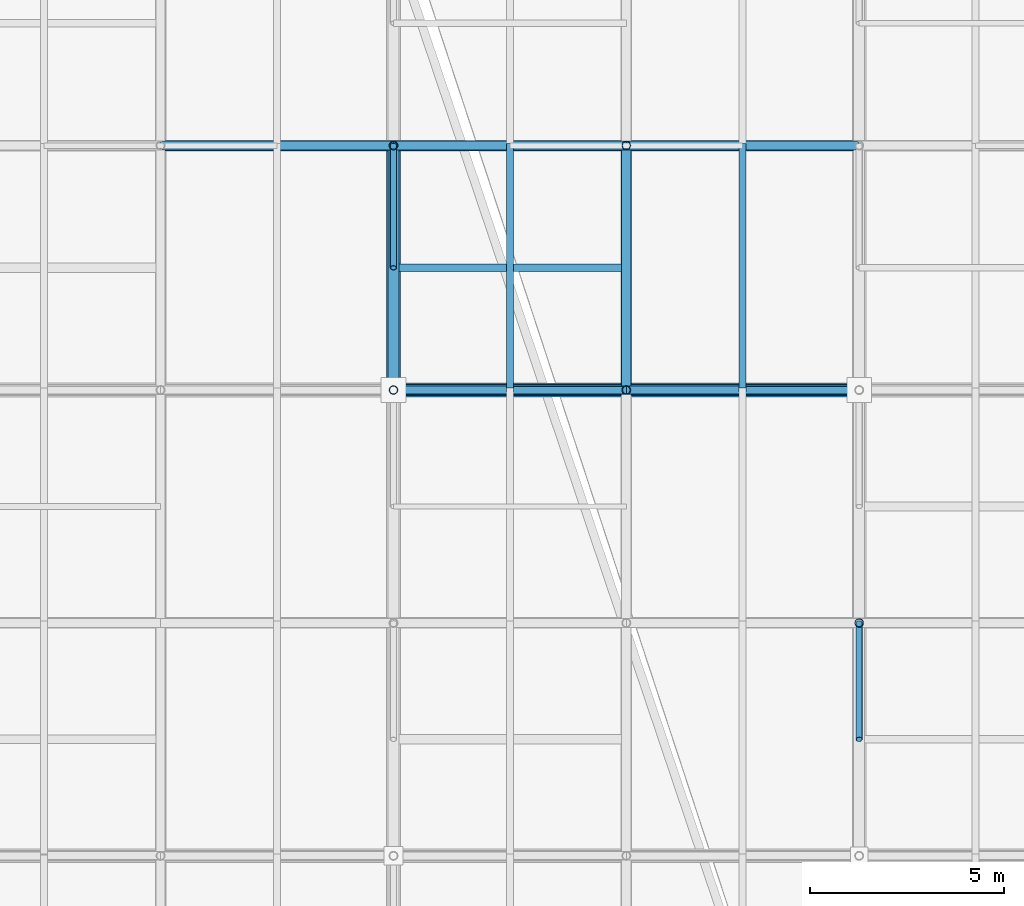
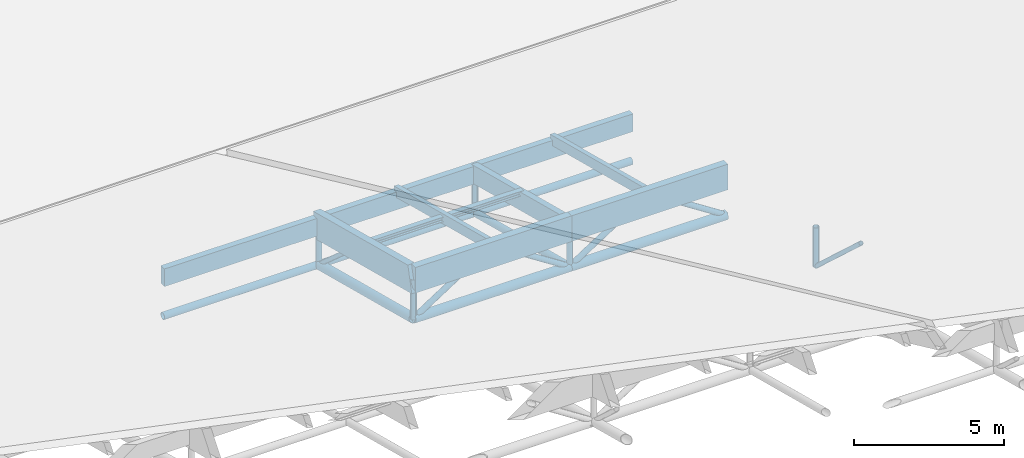
# One storey, part 55 of 80: 28 members.
"""IFC4 building model written with IfcOpenShell, lengths in metres."""

from ifc_helpers import new_model, si_unit, direction, frame, origin, origin_2d, place, context, subcontext, project, spatial, rectangle, hollow_circle, i_section, extrude, material, material_profile, profile_set, type_object, element, save


model = new_model("IFC4")

# Units and contexts
model_context = context("Model", 3, precision=1e-05, world=origin(), true_north=direction((0.0, 1.0)))
body_context = subcontext(model_context, "Body", "Model", "MODEL_VIEW")
ifc_project = project(units=[si_unit("LENGTHUNIT", "METRE"), si_unit("AREAUNIT", "SQUARE_METRE"), si_unit("VOLUMEUNIT", "CUBIC_METRE"), si_unit("PLANEANGLEUNIT", "RADIAN"), si_unit("MASSUNIT", "GRAM", prefix="KILO"), si_unit("THERMODYNAMICTEMPERATUREUNIT", "KELVIN"), si_unit("POWERUNIT", "WATT")], contexts=[model_context])

# Site, building, storey
site_placement = place(None, origin())
site = spatial("IfcSite", under=ifc_project, at=site_placement, CompositionType="ELEMENT")
building_placement = place(site_placement, origin())
building = spatial("IfcBuilding", under=site, at=building_placement, Name="Solmara Park Aquatics Centre", CompositionType="ELEMENT")
storey_placement = place(building_placement, frame((0.0, 0.0, 22.800048828125)))
storey = spatial("IfcBuildingStorey", under=building, at=storey_placement, Name="RF", CompositionType="ELEMENT", Elevation=22.800048828125)

# Members
ifc_material_1 = material(Name="Structural Steel S355", Category="steel")
ifc_material_profile_1 = material_profile(ifc_material_1, hollow_circle(Radius=0.084228515625, WallThickness=0.008056640625, at=origin_2d()), Name="CHS 168.3x8")
ifc_profile_set_1 = profile_set([ifc_material_profile_1], Name="Structural Steel S355")
member_type_1 = type_object("IfcMemberType", Name="STR-BRC-CHS168", PredefinedType="BRACE", material=ifc_profile_set_1)
member_1_placement = place(storey_placement, frame((48.60009765625, 66.60009765625, -9.58984375), z_axis=(0.0, -0.736437262703, 0.67650584484), x_axis=(1.0, 0.0, 0.0)))
element("IfcMember", 1, at=member_1_placement, inside=storey, type_object=member_type_1, Name="Roof Truss Web Diagonal Y 2100", PredefinedType="BRACE", context=body_context, shape_type="SweptSolid", body=[
    extrude(hollow_circle(Radius=0.084228515625, WallThickness=0.008056640625, at=origin_2d()), origin(), (0.0, 0.0, 1.0), 4.07373046875),
])
member_2_placement = place(storey_placement, frame((36.60009765625, 78.89990234375, -12.770751953125), z_axis=(0.0, -0.748026356938, 0.663669020917), x_axis=(1.0, 0.0, 0.0)))
element("IfcMember", 2, at=member_2_placement, inside=storey, type_object=member_type_1, Name="Roof Truss Web Diagonal Y 2144", PredefinedType="BRACE", context=body_context, shape_type="SweptSolid", body=[
    extrude(hollow_circle(Radius=0.084228515625, WallThickness=0.008056640625, at=origin_2d()), origin(), (0.0, 0.0, 1.0), 4.2109375),
])
ifc_material_profile_2 = material_profile(ifc_material_1, hollow_circle(Radius=0.109619140625, WallThickness=0.010009765625, at=origin_2d()), Name="CHS 219.1x10")
ifc_profile_set_2 = profile_set([ifc_material_profile_2], Name="Structural Steel S355")
member_type_2 = type_object("IfcMemberType", Name="STR-BRC-CHS219", PredefinedType="BRACE", material=ifc_profile_set_2)
for number, where, z_axis, x_axis, name in (
    (3, (36.60009765625, 72.60009765625, -11.141357421875), (0.83972779743, 0.0, 0.543007574738), (0.0, 1.0, 0.0), "Roof Truss Web Diagonal X 1529"),
    (4, (42.60009765625, 72.60009765625, -11.141357421875), (-0.83972779743, 0.0, 0.543007574738), (0.0, -1.0, 0.0), "Roof Truss Web Diagonal X 1530"),
    (5, (42.60009765625, 72.60009765625, -11.141357421875), (0.83972779743, 0.0, 0.543007574738), (0.0, 1.0, 0.0), "Roof Truss Web Diagonal X 1559"),
    (6, (48.60009765625, 72.60009765625, -11.141357421875), (-0.83972779743, 0.0, 0.543007574738), (0.0, -1.0, 0.0), "Roof Truss Web Diagonal X 1560"),
):
    element("IfcMember", number, at=place(storey_placement, frame(where, z_axis=z_axis, x_axis=x_axis)), inside=storey, type_object=member_type_2, Name=name, PredefinedType="BRACE", context=body_context, shape_type="SweptSolid", body=[
        extrude(hollow_circle(Radius=0.109619140625, WallThickness=0.010009765625, at=origin_2d()), origin(), (0.0, 0.0, 1.0), 3.572509765625),
    ])
ifc_material_profile_3 = material_profile(ifc_material_1, hollow_circle(Radius=0.136474609375, WallThickness=0.012451171875, at=origin_2d()), Name="CHS 273x12.5")
ifc_profile_set_3 = profile_set([ifc_material_profile_3], Name="Structural Steel S355")
member_type_3 = type_object("IfcMemberType", Name="STR-CHD-CHS273", PredefinedType="CHORD", material=ifc_profile_set_3)
for number, where, z_axis, x_axis, name in (
    (7, (30.60009765625, 78.89990234375, -12.770751953125), (1.0, 0.0, 0.0), (0.0, 1.0, 0.0), "Steel Roof Truss Bottom Chord X 0480"),
    (8, (36.60009765625, 78.89990234375, -12.770751953125), (1.0, 0.0, 0.0), (0.0, 1.0, 0.0), "Steel Roof Truss Bottom Chord X 0482"),
    (9, (42.60009765625, 78.89990234375, -12.770751953125), (1.0, 0.0, 0.0), (0.0, 1.0, 0.0), "Steel Roof Truss Bottom Chord X 0484"),
):
    element("IfcMember", number, at=place(storey_placement, frame(where, z_axis=z_axis, x_axis=x_axis)), inside=storey, type_object=member_type_3, Name=name, PredefinedType="CHORD", context=body_context, shape_type="SweptSolid", body=[
        extrude(hollow_circle(Radius=0.136474609375, WallThickness=0.012451171875, at=origin_2d()), origin(), (0.0, 0.0, 1.0), 6.0),
    ])
member_3_placement = place(storey_placement, frame((42.60009765625, 72.60009765625, -11.141357421875), z_axis=(0.0, 0.968141893543, -0.250402224365), x_axis=(-1.0, 0.0, 0.0)))
element("IfcMember", 10, at=member_3_placement, inside=storey, type_object=member_type_3, Name="Steel Roof Truss Bottom Chord Y 0762", PredefinedType="CHORD", context=body_context, shape_type="SweptSolid", body=[
    extrude(hollow_circle(Radius=0.136474609375, WallThickness=0.012451171875, at=origin_2d()), origin(), (0.0, 0.0, 1.0), 6.507080078125),
])
ifc_material_profile_4 = material_profile(ifc_material_1, hollow_circle(Radius=0.177734375, WallThickness=0.01611328125, at=origin_2d()), Name="CHS 355.6x16")
ifc_profile_set_4 = profile_set([ifc_material_profile_4], Name="Structural Steel S355")
member_type_4 = type_object("IfcMemberType", Name="STR-CHD-CHS355", PredefinedType="CHORD", material=ifc_profile_set_4)
for number, where, z_axis, x_axis, name in (
    (11, (36.60009765625, 72.60009765625, -11.141357421875), (1.0, 0.0, 0.0), (0.0, 1.0, 0.0), "Steel Roof Truss Bottom Chord X 0446"),
    (12, (42.60009765625, 72.60009765625, -11.141357421875), (1.0, 0.0, 0.0), (0.0, 1.0, 0.0), "Steel Roof Truss Bottom Chord X 0448"),
):
    element("IfcMember", number, at=place(storey_placement, frame(where, z_axis=z_axis, x_axis=x_axis)), inside=storey, type_object=member_type_4, Name=name, PredefinedType="CHORD", context=body_context, shape_type="SweptSolid", body=[
        extrude(hollow_circle(Radius=0.177734375, WallThickness=0.01611328125, at=origin_2d()), origin(), (0.0, 0.0, 1.0), 6.0),
    ])
member_4_placement = place(storey_placement, frame((36.60009765625, 72.60009765625, -11.141357421875), z_axis=(0.0, 0.968141893543, -0.250402224365), x_axis=(-1.0, 0.0, 0.0)))
element("IfcMember", 13, at=member_4_placement, inside=storey, type_object=member_type_4, Name="Steel Roof Truss Bottom Chord Y 0734", PredefinedType="CHORD", context=body_context, shape_type="SweptSolid", body=[
    extrude(hollow_circle(Radius=0.177734375, WallThickness=0.01611328125, at=origin_2d()), origin(), (0.0, 0.0, 1.0), 6.507080078125),
])
ifc_material_2 = material(Name="Glulam Timber GL28h", Category="wood")
ifc_material_profile_5 = material_profile(ifc_material_2, rectangle(XDim=0.239990234375, YDim=0.719970703125, at=origin_2d()), Name="GL28h 240x720")
ifc_profile_set_5 = profile_set([ifc_material_profile_5], Name="Glulam Timber GL28h")
member_type_5 = type_object("IfcMemberType", Name="STR-CHD-GL240x720", PredefinedType="CHORD", material=ifc_profile_set_5)
for number, where, z_axis, x_axis, name in (
    (14, (30.60009765625, 78.89990234375, -11.150634765625), (1.0, 0.0, 0.0), (0.0, 1.0, 0.0), "Glulam Roof Truss Top Chord X 0479"),
    (15, (36.60009765625, 78.89990234375, -11.150634765625), (1.0, 0.0, 0.0), (0.0, 1.0, 0.0), "Glulam Roof Truss Top Chord X 0481"),
    (16, (42.60009765625, 78.89990234375, -11.150634765625), (1.0, 0.0, 0.0), (0.0, 1.0, 0.0), "Glulam Roof Truss Top Chord X 0483"),
):
    element("IfcMember", number, at=place(storey_placement, frame(where, z_axis=z_axis, x_axis=x_axis)), inside=storey, type_object=member_type_5, Name=name, PredefinedType="CHORD", context=body_context, shape_type="SweptSolid", body=[
        extrude(rectangle(XDim=0.239990234375, YDim=0.719970703125, at=origin_2d()), origin(), (0.0, 0.0, 1.0), 6.0),
    ])
member_5_placement = place(storey_placement, frame((42.60009765625, 72.60009765625, -9.521484375), z_axis=(0.0, 0.968150988544, -0.250367057299), x_axis=(-1.0, 0.0, 0.0)))
element("IfcMember", 17, at=member_5_placement, inside=storey, type_object=member_type_5, Name="Glulam Roof Truss Top Chord Y 0761", PredefinedType="CHORD", context=body_context, shape_type="SweptSolid", body=[
    extrude(rectangle(XDim=0.239990234375, YDim=0.719970703125, at=origin_2d()), origin(), (0.0, 0.0, 1.0), 6.507080078125),
])
ifc_material_profile_6 = material_profile(ifc_material_2, rectangle(XDim=0.280029296875, YDim=1.0400390625, at=origin_2d()), Name="GL28h 280x1040")
ifc_profile_set_6 = profile_set([ifc_material_profile_6], Name="Glulam Timber GL28h")
member_type_6 = type_object("IfcMemberType", Name="STR-CHD-GL280x1040", PredefinedType="CHORD", material=ifc_profile_set_6)
for number, where, z_axis, x_axis, name in (
    (18, (36.60009765625, 72.60009765625, -9.521484375), (1.0, 0.0, 0.0), (0.0, 1.0, 0.0), "Glulam Roof Truss Top Chord X 0445"),
    (19, (42.60009765625, 72.60009765625, -9.521484375), (1.0, 0.0, 0.0), (0.0, 1.0, 0.0), "Glulam Roof Truss Top Chord X 0447"),
):
    element("IfcMember", number, at=place(storey_placement, frame(where, z_axis=z_axis, x_axis=x_axis)), inside=storey, type_object=member_type_6, Name=name, PredefinedType="CHORD", context=body_context, shape_type="SweptSolid", body=[
        extrude(rectangle(XDim=0.280029296875, YDim=1.0400390625, at=origin_2d()), origin(), (0.0, 0.0, 1.0), 6.0),
    ])
member_6_placement = place(storey_placement, frame((36.60009765625, 72.60009765625, -9.521484375), z_axis=(0.0, 0.968150988544, -0.250367057299), x_axis=(-1.0, 0.0, 0.0)))
element("IfcMember", 20, at=member_6_placement, inside=storey, type_object=member_type_6, Name="Glulam Roof Truss Top Chord Y 0733", PredefinedType="CHORD", context=body_context, shape_type="SweptSolid", body=[
    extrude(rectangle(XDim=0.280029296875, YDim=1.0400390625, at=origin_2d()), origin(), (0.0, 0.0, 1.0), 6.507080078125),
])
ifc_material_profile_7 = material_profile(ifc_material_2, rectangle(XDim=0.179931640625, YDim=0.39990234375, at=origin_2d()), Name="GL28h 180x400")
ifc_profile_set_7 = profile_set([ifc_material_profile_7], Name="Glulam Timber GL28h")
member_type_7 = type_object("IfcMemberType", Name="STR-PRL-GL180x400", PredefinedType="PURLIN", material=ifc_profile_set_7)
for number, where, z_axis, x_axis, name in (
    (21, (39.60009765625, 72.60009765625, -9.201416015625), (0.0, 0.968141893543, -0.250402224365), (-1.0, 0.0, 0.0), "Glulam Roof Purlin 1515"),
    (22, (45.60009765625, 72.60009765625, -9.201416015625), (0.0, 0.968141893543, -0.250402224365), (-1.0, 0.0, 0.0), "Glulam Roof Purlin 1545"),
):
    element("IfcMember", number, at=place(storey_placement, frame(where, z_axis=z_axis, x_axis=x_axis)), inside=storey, type_object=member_type_7, Name=name, PredefinedType="PURLIN", context=body_context, shape_type="SweptSolid", body=[
        extrude(rectangle(XDim=0.179931640625, YDim=0.39990234375, at=origin_2d()), origin(), (0.0, 0.0, 1.0), 6.507080078125),
    ])
ifc_material_profile_8 = material_profile(ifc_material_1, i_section(OverallWidth=0.199951171875, OverallDepth=0.18994140625, WebThickness=0.006591796875, FlangeThickness=0.010009765625, FilletRadius=0.01806640625, at=origin_2d()), Name="HEA 200")
ifc_profile_set_8 = profile_set([ifc_material_profile_8], Name="Structural Steel S355")
member_type_8 = type_object("IfcMemberType", Name="STR-PRL-HEA200", PredefinedType="PURLIN", material=ifc_profile_set_8)
member_7_placement = place(storey_placement, frame((36.60009765625, 75.75, -9.99609375), z_axis=(1.0, 0.0, 0.0), x_axis=(0.0, 1.0, 0.0)))
element("IfcMember", 23, at=member_7_placement, inside=storey, type_object=member_type_8, Name="Glulam Secondary Roof Purlin 2134", PredefinedType="PURLIN", context=body_context, shape_type="SweptSolid", body=[
    extrude(i_section(OverallWidth=0.199951171875, OverallDepth=0.18994140625, WebThickness=0.006591796875, FlangeThickness=0.010009765625, FilletRadius=0.01806640625, at=origin_2d()), origin(), (0.0, 0.0, 1.0), 6.0),
])
ifc_material_profile_9 = material_profile(ifc_material_1, hollow_circle(Radius=0.109619140625, WallThickness=0.010009765625, at=origin_2d()), Name="CHS 219.1x10")
ifc_profile_set_9 = profile_set([ifc_material_profile_9], Name="Structural Steel S355")
member_type_9 = type_object("IfcMemberType", Name="STR-PST-CHS219", PredefinedType="POST", material=ifc_profile_set_9)
member_8_placement = place(storey_placement, frame((36.60009765625, 72.60009765625, -11.141357421875), z_axis=(0.0, 0.0, 1.0), x_axis=(1.0, 0.0, 0.0)))
element("IfcMember", 24, at=member_8_placement, inside=storey, type_object=member_type_9, Name="Roof Truss Web Post 1168", PredefinedType="POST", context=body_context, shape_type="SweptSolid", body=[
    extrude(hollow_circle(Radius=0.109619140625, WallThickness=0.010009765625, at=origin_2d()), origin(), (0.0, 0.0, 1.0), 1.619873046875),
])
member_9_placement = place(storey_placement, frame((36.60009765625, 78.89990234375, -12.770751953125), z_axis=(0.0, 0.0, 1.0), x_axis=(1.0, 0.0, 0.0)))
element("IfcMember", 25, at=member_9_placement, inside=storey, type_object=member_type_9, Name="Roof Truss Web Post 1169", PredefinedType="POST", context=body_context, shape_type="SweptSolid", body=[
    extrude(hollow_circle(Radius=0.109619140625, WallThickness=0.010009765625, at=origin_2d()), origin(), (0.0, 0.0, 1.0), 1.6201171875),
])
member_10_placement = place(storey_placement, frame((42.60009765625, 72.60009765625, -11.141357421875), z_axis=(0.0, 0.0, 1.0), x_axis=(1.0, 0.0, 0.0)))
element("IfcMember", 26, at=member_10_placement, inside=storey, type_object=member_type_9, Name="Roof Truss Web Post 1183", PredefinedType="POST", context=body_context, shape_type="SweptSolid", body=[
    extrude(hollow_circle(Radius=0.109619140625, WallThickness=0.010009765625, at=origin_2d()), origin(), (0.0, 0.0, 1.0), 1.619873046875),
])
for number, where, z_axis, x_axis, name in (
    (27, (42.60009765625, 78.89990234375, -12.770751953125), (0.0, 0.0, 1.0), (1.0, 0.0, 0.0), "Roof Truss Web Post 1184"),
    (28, (48.60009765625, 66.60009765625, -9.58984375), (0.0, 0.0, 1.0), (1.0, 0.0, 0.0), "Roof Truss Web Post 1197"),
):
    element("IfcMember", number, at=place(storey_placement, frame(where, z_axis=z_axis, x_axis=x_axis)), inside=storey, type_object=member_type_9, Name=name, PredefinedType="POST", context=body_context, shape_type="SweptSolid", body=[
        extrude(hollow_circle(Radius=0.109619140625, WallThickness=0.010009765625, at=origin_2d()), origin(), (0.0, 0.0, 1.0), 1.6201171875),
    ])

save(model, "model.ifc")
